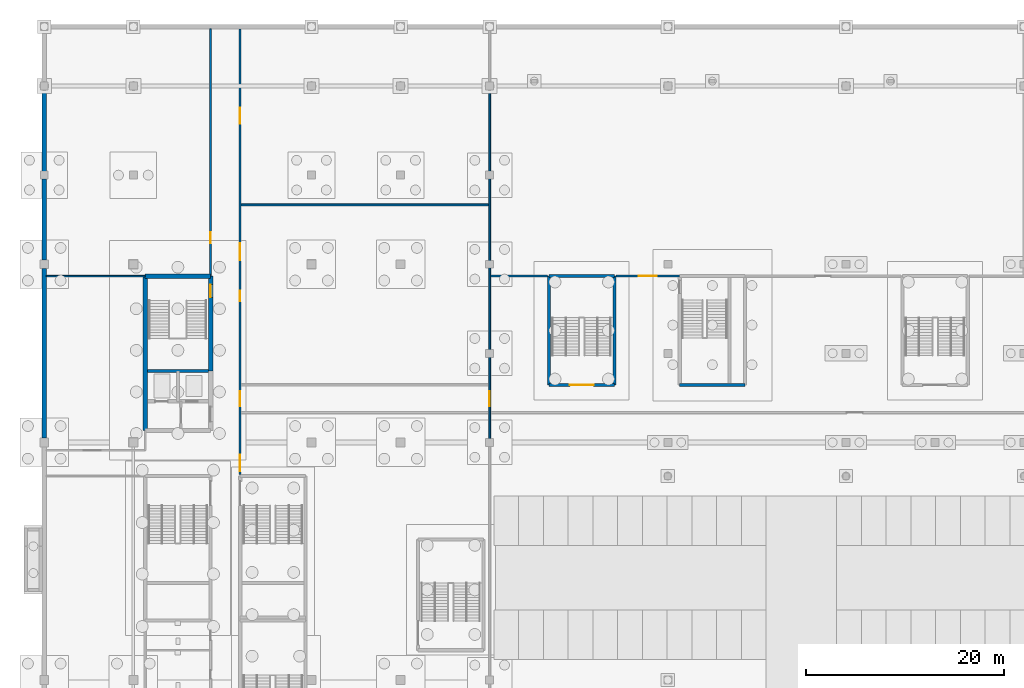
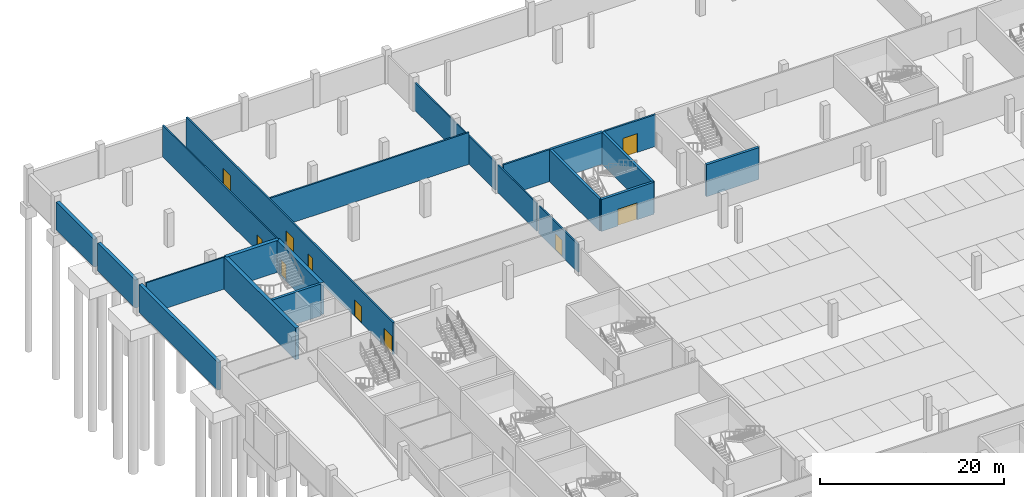
# One storey, part 18 of 46: 21 walls, 10 doors, 10 openings.
"""IFC4 building model written with IfcOpenShell, lengths in metres."""

import ifcopenshell
import ifcopenshell.guid

model = None  # the IFC model being written
_history = None  # IfcOwnerHistory: only IFC2X3 demands one
_inside = {}  # id of a spatial element -> (the spatial element, [elements in it])
_under = {}  # id of a project, library or spatial element -> (it, [spatial elements below it])
_declared = {}  # id of a project -> (the project, [libraries it declares])
_typed = {}  # id of a type object -> (the type object, [elements of that type])
_made_of = {}  # id of a material, layer set ... -> (it, [elements and type objects made of it])


def new_model(schema):
    """Start an empty IFC model of exactly this schema.

    Asked for "IFC4X3", IfcOpenShell would pick the latest addendum, in which some entities
    have other attributes; the version numbers below select the first issue.
    IFC2X3 requires an IfcOwnerHistory on every rooted entity: one is made here for all.
    """
    global model, _history
    if schema == "IFC4X3":
        model = ifcopenshell.file(schema_version=(4, 3, 0, 0))
    else:
        model = ifcopenshell.file(schema=schema)
    _inside.clear()
    _under.clear()
    _declared.clear()
    _typed.clear()
    _made_of.clear()
    _history = None
    if model.schema == "IFC2X3":
        org = make("IfcOrganization", Name="unknown")
        user = make(
            "IfcPersonAndOrganization",
            ThePerson=make("IfcPerson", FamilyName="unknown"),
            TheOrganization=org,
        )
        app = make(
            "IfcApplication",
            ApplicationDeveloper=org,
            Version="unknown",
            ApplicationFullName="unknown",
            ApplicationIdentifier="unknown",
        )
        _history = make(
            "IfcOwnerHistory",
            OwningUser=user,
            OwningApplication=app,
            ChangeAction="ADDED",
            CreationDate=0,
        )
    return model


def make(cls, **values):
    """One entity of the class cls with the attributes given. An attribute that is None is left unset."""
    return model.create_entity(
        cls, **{name: value for name, value in values.items() if value is not None}
    )


def rooted(cls, **values):
    """An entity with a GlobalId (a new one), such as an element, a storey or a relation."""
    return make(cls, GlobalId=ifcopenshell.guid.new(), OwnerHistory=_history, **values)


def si_unit(unit_type, name, prefix=None):
    """IfcSIUnit, for example si_unit("LENGTHUNIT", "METRE", prefix="MILLI")."""
    return make("IfcSIUnit", UnitType=unit_type, Prefix=prefix, Name=name)


def assignment(units):
    """IfcUnitAssignment: the units of a project."""
    return None if units is None else make("IfcUnitAssignment", Units=units)


def point(xyz):
    """IfcCartesianPoint."""
    return None if xyz is None else make("IfcCartesianPoint", Coordinates=xyz)


def direction(xyz):
    """IfcDirection."""
    return None if xyz is None else make("IfcDirection", DirectionRatios=xyz)


def frame(location, z_axis=None, x_axis=None):
    """IfcAxis2Placement3D, a coordinate frame: its origin and axes. An axis left out is left unset."""
    return make(
        "IfcAxis2Placement3D",
        Location=point(location),
        Axis=direction(z_axis),
        RefDirection=direction(x_axis),
    )


def frame_2d(location, x_axis=None):
    """IfcAxis2Placement2D, a coordinate frame in the plane: its origin and x axis."""
    return make(
        "IfcAxis2Placement2D", Location=point(location), RefDirection=direction(x_axis)
    )


def origin():
    """The frame at (0, 0, 0) with its axes left unset."""
    return frame((0.0, 0.0, 0.0))


def place(relative_to, where):
    """IfcLocalPlacement: puts the frame where relative to a parent placement (None: the world)."""
    return make(
        "IfcLocalPlacement", PlacementRelTo=relative_to, RelativePlacement=where
    )


def context(
    kind, dimensions, precision=None, world=None, true_north=None, identifier=None
):
    """IfcGeometricRepresentationContext, for example the 3D "Model" context."""
    return make(
        "IfcGeometricRepresentationContext",
        ContextIdentifier=identifier,
        ContextType=kind,
        CoordinateSpaceDimension=dimensions,
        Precision=precision,
        WorldCoordinateSystem=world,
        TrueNorth=true_north,
    )


def subcontext(parent, identifier, kind, view, scale=None):
    """IfcGeometricRepresentationSubContext, for example "Body" below "Model"."""
    return make(
        "IfcGeometricRepresentationSubContext",
        ContextIdentifier=identifier,
        ContextType=kind,
        ParentContext=parent,
        TargetScale=scale,
        TargetView=view,
    )


def project(units=None, contexts=None):
    """IfcProject with its units and contexts."""
    return rooted(
        "IfcProject",
        Name="project",
        RepresentationContexts=contexts,
        UnitsInContext=assignment(units),
    )


def spatial(cls, under=None, at=None, **own):
    """A site, building, storey or space (cls), placed at a placement, below another one or the project."""
    s = rooted(cls, ObjectPlacement=at, **own)
    if under is not None:
        _under.setdefault(under.id(), (under, []))[1].append(s)
    return s


def profile(cls, at=None, kind="AREA", **sizes):
    """A parametric profile (cls). Its sizes go by their IFC names, for example OverallWidth=200.0."""
    return make(cls, ProfileType=kind, Position=at, **sizes)


def rectangle(**sizes):
    """IfcRectangleProfileDef."""
    return profile("IfcRectangleProfileDef", **sizes)


def extrude(swept, where, along, depth):
    """IfcExtrudedAreaSolid: the profile swept, set in the frame where, extruded along a direction by depth."""
    return make(
        "IfcExtrudedAreaSolid",
        SweptArea=swept,
        Position=where,
        ExtrudedDirection=direction(along),
        Depth=depth,
    )


def shape(context_of_items, identifier, shape_type, items):
    """IfcShapeRepresentation: the items that make up one representation, for example the "Body"."""
    return make(
        "IfcShapeRepresentation",
        ContextOfItems=context_of_items,
        RepresentationIdentifier=identifier,
        RepresentationType=shape_type,
        Items=items,
    )


def material(Name=None, Category=None):
    """IfcMaterial."""
    return make("IfcMaterial", Name=Name, Category=Category)


def layer(
    of_material, thickness, ventilated=None, Name=None, Category=None, Priority=None
):
    """IfcMaterialLayer: one layer of a wall or slab, of a material (None: an air gap)."""
    return make(
        "IfcMaterialLayer",
        Material=of_material,
        LayerThickness=thickness,
        IsVentilated=ventilated,
        Name=Name,
        Category=Category,
        Priority=Priority,
    )


def layer_set(layers, Name=None):
    """IfcMaterialLayerSet."""
    return make("IfcMaterialLayerSet", MaterialLayers=layers, LayerSetName=Name)


def made_of(thing, what):
    """Note that an element or type object is made of a material, layer set ...; save() writes the relation."""
    if what is not None:
        _made_of.setdefault(what.id(), (what, []))[1].append(thing)
    return thing


def type_object(cls, material=None, **own):
    """A type object (cls), such as IfcWallType, which elements share."""
    return made_of(rooted(cls, **own), material)


def element(
    cls,
    number,
    at=None,
    inside=None,
    cuts=None,
    type_object=None,
    material=None,
    context=None,
    identifier="Body",
    shape_type=None,
    held_by="IfcProductDefinitionShape",
    body=None,
    shapes=None,
    **own,
):
    """One element of the class cls, such as IfcWall. Its Tag is "e" and its number.

    at: its placement. inside: the storey or other place that contains it. cuts: it is an
    opening in that element (IfcRelVoidsElement). A single representation is given by context,
    identifier, shape_type and body (its items); several are given by shapes. held_by: the class
    of the entity that holds the representations. save() writes the other relations.
    """
    e = rooted(cls, Tag="e%d" % number, ObjectPlacement=at, **own)
    if body is not None:
        shapes = [shape(context, identifier, shape_type, body)]
    if shapes is not None:
        e.Representation = make(held_by, Representations=shapes)
    if inside is not None:
        _inside.setdefault(inside.id(), (inside, []))[1].append(e)
    if cuts is not None:
        rooted(
            "IfcRelVoidsElement", RelatingBuildingElement=cuts, RelatedOpeningElement=e
        )
    if type_object is not None:
        _typed.setdefault(type_object.id(), (type_object, []))[1].append(e)
    return made_of(e, material)


def fill(opening, filler):
    """IfcRelFillsElement: the door or window that sits in an opening."""
    return rooted(
        "IfcRelFillsElement",
        RelatingOpeningElement=opening,
        RelatedBuildingElement=filler,
    )


def aggregate(whole, parts):
    """IfcRelAggregates: a whole, such as a stair, and the parts it consists of."""
    return rooted("IfcRelAggregates", RelatingObject=whole, RelatedObjects=parts)


def save(model, path):
    """Write the relations noted so far, then the file.

    IfcRelAggregates (storeys below a building ...), IfcRelContainedInSpatialStructure (elements
    in a storey), IfcRelDefinesByType, IfcRelAssociatesMaterial and IfcRelDeclares: one each for
    every whole, place, type object, material and project.
    """
    for whole, parts in _under.values():
        aggregate(whole, parts)
    for where, things in _inside.values():
        rooted(
            "IfcRelContainedInSpatialStructure",
            RelatedElements=things,
            RelatingStructure=where,
        )
    for kind, things in _typed.values():
        rooted("IfcRelDefinesByType", RelatedObjects=things, RelatingType=kind)
    for what, things in _made_of.values():
        rooted("IfcRelAssociatesMaterial", RelatedObjects=things, RelatingMaterial=what)
    for by, libraries in _declared.values():
        rooted("IfcRelDeclares", RelatingContext=by, RelatedDefinitions=libraries)
    model.write(path)


model = new_model("IFC4")

# Units and contexts
model_context = context("Model", 3, precision=1e-05, world=origin(), true_north=direction((0.0, 1.0)))
body_context = subcontext(model_context, "Body", "Model", "MODEL_VIEW")
ifc_project = project(units=[si_unit("LENGTHUNIT", "METRE"), si_unit("AREAUNIT", "SQUARE_METRE"), si_unit("VOLUMEUNIT", "CUBIC_METRE"), si_unit("PLANEANGLEUNIT", "RADIAN"), si_unit("MASSUNIT", "GRAM", prefix="KILO")], contexts=[model_context])

# Site, building, storey
site_placement = place(None, origin())
site = spatial("IfcSite", under=ifc_project, at=site_placement, CompositionType="ELEMENT")
building_placement = place(site_placement, origin())
building = spatial("IfcBuilding", under=site, at=building_placement, Name="Kisiwana Market Hall", CompositionType="ELEMENT")
storey_placement = place(building_placement, frame((0.0, 0.0, -4.5)))
storey = spatial("IfcBuildingStorey", under=building, at=storey_placement, Name="B1", CompositionType="ELEMENT", Elevation=-4.5)

# Walls
ifc_material_1 = material(Name="Concrete C40/50", Category="concrete")
ifc_layer_1 = layer(ifc_material_1, 0.360107421875, Name="Waterproofed RC retaining wall")
ifc_material_2 = material(Name="Mineral wool insulation")
ifc_layer_2 = layer(ifc_material_2, 0.06005859375, Name="XPS drainage protection board")
ifc_layer_set_1 = layer_set([ifc_layer_1, ifc_layer_2], Name="WL-B1-RET-420")
wall_type_1 = type_object("IfcWallType", Name="WL-B1-RET-420", PredefinedType="STANDARD", material=ifc_layer_set_1)
wall_1_placement = place(storey_placement, frame((0.0, 84.44189453125, 0.0), z_axis=(0.0, 0.0, 1.0), x_axis=(0.0, 1.0, 0.0)))
element("IfcWall", 1, at=wall_1_placement, inside=storey, type_object=wall_type_1, Name="Exterior wall W-0188", PredefinedType="STANDARD", context=body_context, shape_type="SweptSolid", body=[
    extrude(rectangle(XDim=17.1162109375, YDim=0.419921875, at=frame_2d((8.55810546875, 0.0))), origin(), (0.0, 0.0, 1.0), 3.699951171875),
])
wall_2_placement = place(storey_placement, frame((0.0, 102.44189453125, 0.0), z_axis=(0.0, 0.0, 1.0), x_axis=(0.0, 1.0, 0.0)))
element("IfcWall", 2, at=wall_2_placement, inside=storey, type_object=wall_type_1, Name="Exterior wall W-0189", PredefinedType="STANDARD", context=body_context, shape_type="SweptSolid", body=[
    extrude(rectangle(XDim=8.166015625, YDim=0.419921875, at=frame_2d((4.0830078125, 0.0))), origin(), (0.0, 0.0, 1.0), 3.699951171875),
])
wall_3_placement = place(storey_placement, frame((0.0, 111.39208984375, 0.0), z_axis=(0.0, 0.0, 1.0), x_axis=(0.0, 1.0, 0.0)))
element("IfcWall", 3, at=wall_3_placement, inside=storey, type_object=wall_type_1, Name="Exterior wall W-0190", PredefinedType="STANDARD", context=body_context, shape_type="SweptSolid", body=[
    extrude(rectangle(XDim=8.2158203125, YDim=0.419921875, at=frame_2d((4.10791015625, 0.0))), origin(), (0.0, 0.0, 1.0), 3.699951171875),
])
ifc_material_3 = material(Name="Steel S275", Category="steel")
ifc_layer_3 = layer(ifc_material_3, 0.010009765625, Name="Food-grade steel inner skin")
ifc_material_4 = material(Name="PIR insulation")
ifc_layer_4 = layer(ifc_material_4, 0.199951171875, Name="High-density PIR thermal core")
ifc_material_5 = material(Name="Steel S275", Category="steel")
ifc_layer_5 = layer(ifc_material_5, 0.010009765625, Name="Food-grade steel outer skin")
ifc_layer_set_2 = layer_set([ifc_layer_3, ifc_layer_4, ifc_layer_5], Name="WL-COLD-220")
wall_type_2 = type_object("IfcWallType", Name="WL-COLD-220", PredefinedType="PARTITIONING", material=ifc_layer_set_2)
wall_4_placement = place(storey_placement, frame((45.0849609375, 100.800048828125, 0.0), z_axis=(0.0, 0.0, 1.0), x_axis=(1.0, 0.0, 0.0)))
element("IfcWall", 4, at=wall_4_placement, inside=storey, type_object=wall_type_2, Name="Interior partition W-0286", PredefinedType="PARTITIONING", context=body_context, shape_type="SweptSolid", body=[
    extrude(rectangle(XDim=5.755126953125, YDim=0.219970703125, at=frame_2d((2.87744140625, 0.0))), origin(), (0.0, 0.0, 1.0), 4.239990234375),
])

# Wall, opening, door
wall_5_placement = place(storey_placement, frame((57.760009765625, 100.800048828125, 0.0), z_axis=(0.0, 0.0, 1.0), x_axis=(1.0, 0.0, 0.0)))
wall_5 = element("IfcWall", 5, at=wall_5_placement, inside=storey, type_object=wall_type_2, Name="Interior partition W-0287", PredefinedType="PARTITIONING", context=body_context, shape_type="SweptSolid", body=[
    extrude(rectangle(XDim=6.43994140625, YDim=0.219970703125, at=frame_2d((3.219970703125, 0.0))), origin(), (0.0, 0.0, 1.0), 4.239990234375),
])
opening_1_placement = place(wall_5_placement, frame((2.320068359375, 0.0, 0.0)))
opening_1 = element("IfcOpeningElement", 6, at=opening_1_placement, cuts=wall_5, Name="Opening DR-B1-090", PredefinedType="OPENING", context=body_context, shape_type="SweptSolid", body=[
    extrude(rectangle(XDim=1.800048828125, YDim=2.5, at=frame_2d((0.89990234375, 1.25))), frame((0.0, 0.1220703125, 0.0), z_axis=(0.0, -1.0, 0.0), x_axis=(1.0, 0.0, 0.0)), (0.0, 0.0, 1.0), 0.243896484375),
])
ifc_material_6 = material(Name="Steel S275", Category="steel")
door_type_1 = type_object("IfcDoorType", Name="DR-COLD-FD60-1800", OperationType="SLIDING_TO_LEFT", PredefinedType="DOOR", material=ifc_material_6)
door_1_placement = place(opening_1_placement, origin())
door_1 = element("IfcDoor", 7, at=door_1_placement, inside=storey, type_object=door_type_1, Name="B1 Produce Cold Store Door", OperationType="SLIDING_TO_LEFT", OverallHeight=2.5, OverallWidth=1.800048828125, PredefinedType="DOOR", context=body_context, shape_type="SweptSolid", body=[
    extrude(rectangle(XDim=1.800048828125, YDim=2.5, at=frame_2d((0.89990234375, 1.25))), frame((0.0, 0.02490234375, 0.0), z_axis=(0.0, -1.0, 0.0), x_axis=(1.0, 0.0, 0.0)), (0.0, 0.0, 1.0), 0.050048828125),
])
fill(opening_1, door_1)

# Wall
ifc_material_7 = material(Name="Masonry blockwork", Category="masonry")
ifc_layer_6 = layer(ifc_material_7, 0.199951171875, Name="Plastered fire compartment block wall")
ifc_layer_set_3 = layer_set([ifc_layer_6], Name="WL-COMP-200")
wall_type_3 = type_object("IfcWallType", Name="WL-COMP-200", PredefinedType="PARTITIONING", material=ifc_layer_set_3)
wall_6_placement = place(storey_placement, frame((19.89990234375, 108.0, 0.0), z_axis=(0.0, 0.0, 1.0), x_axis=(1.0, 0.0, 0.0)))
element("IfcWall", 8, at=wall_6_placement, inside=storey, type_object=wall_type_3, Name="Interior partition W-0225", PredefinedType="PARTITIONING", context=body_context, shape_type="SweptSolid", body=[
    extrude(rectangle(XDim=25.01513671875, YDim=0.199951171875, at=frame_2d((12.507568359375, 0.0))), origin(), (0.0, 0.0, 1.0), 4.239990234375),
])

# Wall, openings, doors
wall_7_placement = place(storey_placement, frame((19.800048828125, 80.760009765625, 0.0), z_axis=(0.0, 0.0, 1.0), x_axis=(0.0, 1.0, 0.0)))
wall_7 = element("IfcWall", 9, at=wall_7_placement, inside=storey, type_object=wall_type_3, Name="Interior partition W-0227", PredefinedType="PARTITIONING", context=body_context, shape_type="SweptSolid", body=[
    extrude(rectangle(XDim=45.030029296875, YDim=0.199951171875, at=frame_2d((22.51513671875, 0.0))), origin(), (0.0, 0.0, 1.0), 4.239990234375),
])
opening_2_placement = place(wall_7_placement, frame((6.889892578125, 0.0, 0.0)))
opening_2 = element("IfcOpeningElement", 10, at=opening_2_placement, cuts=wall_7, Name="Opening DR-B1-053", PredefinedType="OPENING", context=body_context, shape_type="SweptSolid", body=[
    extrude(rectangle(XDim=1.5, YDim=2.199951171875, at=frame_2d((0.75, 1.10009765625))), frame((0.0, 0.11181640625, 0.0), z_axis=(0.0, -1.0, 0.0), x_axis=(1.0, 0.0, 0.0)), (0.0, 0.0, 1.0), 0.223876953125),
])
opening_3_placement = place(wall_7_placement, frame((17.5, 0.0, 0.0)))
opening_3 = element("IfcOpeningElement", 11, at=opening_3_placement, cuts=wall_7, Name="Opening DR-B1-054", PredefinedType="OPENING", context=body_context, shape_type="SweptSolid", body=[
    extrude(rectangle(XDim=1.050048828125, YDim=2.14990234375, at=frame_2d((0.52490234375, 1.074951171875))), frame((0.0, 0.11181640625, 0.0), z_axis=(0.0, -1.0, 0.0), x_axis=(1.0, 0.0, 0.0)), (0.0, 0.0, 1.0), 0.223876953125),
])
opening_4_placement = place(wall_7_placement, frame((35.43994140625, 0.0, 0.0)))
opening_4 = element("IfcOpeningElement", 12, at=opening_4_placement, cuts=wall_7, Name="Opening DR-B1-055", PredefinedType="OPENING", context=body_context, shape_type="SweptSolid", body=[
    extrude(rectangle(XDim=1.60009765625, YDim=2.300048828125, at=frame_2d((0.800048828125, 1.14990234375))), frame((0.0, 0.11181640625, 0.0), z_axis=(0.0, -1.0, 0.0), x_axis=(1.0, 0.0, 0.0)), (0.0, 0.0, 1.0), 0.223876953125),
])
opening_5_placement = place(wall_7_placement, frame((21.6650390625, 0.0, 0.0)))
opening_5 = element("IfcOpeningElement", 13, at=opening_5_placement, cuts=wall_7, Name="Opening DR-B1-056", PredefinedType="OPENING", context=body_context, shape_type="SweptSolid", body=[
    extrude(rectangle(XDim=1.699951171875, YDim=2.300048828125, at=frame_2d((0.85009765625, 1.14990234375))), frame((0.0, 0.11181640625, 0.0), z_axis=(0.0, -1.0, 0.0), x_axis=(1.0, 0.0, 0.0)), (0.0, 0.0, 1.0), 0.223876953125),
])
opening_6_placement = place(wall_7_placement, frame((0.300048828125, 0.0, 0.0)))
opening_6 = element("IfcOpeningElement", 14, at=opening_6_placement, cuts=wall_7, Name="Opening DR-B1-057", PredefinedType="OPENING", context=body_context, shape_type="SweptSolid", body=[
    extrude(rectangle(XDim=1.699951171875, YDim=2.300048828125, at=frame_2d((0.85009765625, 1.14990234375))), frame((0.0, 0.11181640625, 0.0), z_axis=(0.0, -1.0, 0.0), x_axis=(1.0, 0.0, 0.0)), (0.0, 0.0, 1.0), 0.223876953125),
])
ifc_material_8 = material(Name="Steel S275", Category="steel")
door_type_2 = type_object("IfcDoorType", Name="DR-CORR-FD60-1500", OperationType="DOUBLE_DOOR_SINGLE_SWING", PredefinedType="DOOR", material=ifc_material_8)
door_2_placement = place(opening_2_placement, origin())
door_2 = element("IfcDoor", 15, at=door_2_placement, inside=storey, type_object=door_type_2, Name="B1 W North Concourse Link Corridor Door", OperationType="DOUBLE_DOOR_SINGLE_SWING", OverallHeight=2.199951171875, OverallWidth=1.5, PredefinedType="DOOR", context=body_context, shape_type="SweptSolid", body=[
    extrude(rectangle(XDim=1.5, YDim=2.199951171875, at=frame_2d((0.75, 1.10009765625))), frame((0.0, 0.02490234375, 0.0), z_axis=(0.0, -1.0, 0.0), x_axis=(1.0, 0.0, 0.0)), (0.0, 0.0, 1.0), 0.050048828125),
])
fill(opening_2, door_2)
ifc_material_9 = material(Name="Steel S275", Category="steel")
door_type_3 = type_object("IfcDoorType", Name="DR-PLANT-FD120-1600", OperationType="DOUBLE_DOOR_SINGLE_SWING", PredefinedType="DOOR", material=ifc_material_9)
door_3_placement = place(opening_4_placement, frame((1.60009765625, 0.0, 0.0), z_axis=(0.0, 0.0, 1.0), x_axis=(-1.0, 0.0, 0.0)))
door_3 = element("IfcDoor", 16, at=door_3_placement, inside=storey, type_object=door_type_3, Name="B1 W Substation and Plant Room Door", OperationType="DOUBLE_DOOR_SINGLE_SWING", OverallHeight=2.300048828125, OverallWidth=1.60009765625, PredefinedType="DOOR", context=body_context, shape_type="SweptSolid", body=[
    extrude(rectangle(XDim=1.60009765625, YDim=2.300048828125, at=frame_2d((0.800048828125, 1.14990234375))), frame((0.0, 0.02490234375, 0.0), z_axis=(0.0, -1.0, 0.0), x_axis=(1.0, 0.0, 0.0)), (0.0, 0.0, 1.0), 0.050048828125),
])
fill(opening_4, door_3)
ifc_material_10 = material(Name="Aluminium alloy 6063-T6", Category="aluminium")
door_type_4 = type_object("IfcDoorType", Name="DR-SHOP-1700", OperationType="DOUBLE_DOOR_SINGLE_SWING", PredefinedType="DOOR", material=ifc_material_10)
door_4_placement = place(opening_5_placement, frame((1.699951171875, 0.0, 0.0), z_axis=(0.0, 0.0, 1.0), x_axis=(-1.0, 0.0, 0.0)))
door_4 = element("IfcDoor", 17, at=door_4_placement, inside=storey, type_object=door_type_4, Name="B1 W Lower Ground Shop C Door", OperationType="DOUBLE_DOOR_SINGLE_SWING", OverallHeight=2.300048828125, OverallWidth=1.699951171875, PredefinedType="DOOR", context=body_context, shape_type="SweptSolid", body=[
    extrude(rectangle(XDim=1.699951171875, YDim=2.300048828125, at=frame_2d((0.85009765625, 1.14990234375))), frame((0.0, 0.02490234375, 0.0), z_axis=(0.0, -1.0, 0.0), x_axis=(1.0, 0.0, 0.0)), (0.0, 0.0, 1.0), 0.050048828125),
])
fill(opening_5, door_4)
door_5_placement = place(opening_6_placement, frame((1.699951171875, 0.0, 0.0), z_axis=(0.0, 0.0, 1.0), x_axis=(-1.0, 0.0, 0.0)))
door_5 = element("IfcDoor", 18, at=door_5_placement, inside=storey, type_object=door_type_4, Name="B1 W Lower Ground Shop D Door", OperationType="DOUBLE_DOOR_SINGLE_SWING", OverallHeight=2.300048828125, OverallWidth=1.699951171875, PredefinedType="DOOR", context=body_context, shape_type="SweptSolid", body=[
    extrude(rectangle(XDim=1.699951171875, YDim=2.300048828125, at=frame_2d((0.85009765625, 1.14990234375))), frame((0.0, 0.02490234375, 0.0), z_axis=(0.0, -1.0, 0.0), x_axis=(1.0, 0.0, 0.0)), (0.0, 0.0, 1.0), 0.050048828125),
])
fill(opening_6, door_5)
ifc_material_11 = material(Name="Steel S275", Category="steel")
door_type_5 = type_object("IfcDoorType", Name="DR-STOR-FD60-1050", OperationType="NOTDEFINED", PredefinedType="DOOR", material=ifc_material_11)
door_6_placement = place(opening_3_placement, frame((1.050048828125, 0.0, 0.0), z_axis=(0.0, 0.0, 1.0), x_axis=(-1.0, 0.0, 0.0)))
door_6 = element("IfcDoor", 19, at=door_6_placement, inside=storey, type_object=door_type_5, Name="B1 W Bicycle and Refuse Store Door", OperationType="SINGLE_SWING_RIGHT", OverallHeight=2.14990234375, OverallWidth=1.050048828125, PredefinedType="DOOR", context=body_context, shape_type="SweptSolid", body=[
    extrude(rectangle(XDim=1.050048828125, YDim=2.14990234375, at=frame_2d((0.52490234375, 1.074951171875))), frame((0.0, 0.02490234375, 0.0), z_axis=(0.0, -1.0, 0.0), x_axis=(1.0, 0.0, 0.0)), (0.0, 0.0, 1.0), 0.050048828125),
])
fill(opening_3, door_6)

# Walls
ifc_material_12 = material(Name="Concrete C40/50", Category="concrete")
ifc_layer_7 = layer(ifc_material_12, 0.320068359375, Name="Reinforced concrete shaft wall")
ifc_layer_set_4 = layer_set([ifc_layer_7], Name="WL-CORE-320")
wall_type_4 = type_object("IfcWallType", Name="WL-CORE-320", PredefinedType="SHEAR", material=ifc_layer_set_4)
wall_8_placement = place(storey_placement, frame((10.425048828125, 91.215087890625, 0.0), z_axis=(0.0, 0.0, 1.0), x_axis=(1.0, 0.0, 0.0)))
element("IfcWall", 20, at=wall_8_placement, inside=storey, type_object=wall_type_4, Name="Core W1 shaft back shear wall W-0015", PredefinedType="SHEAR", context=body_context, shape_type="SweptSolid", body=[
    extrude(rectangle(XDim=6.14990234375, YDim=0.320068359375, at=frame_2d((3.074951171875, 0.0))), origin(), (0.0, 0.0, 1.0), 4.239990234375),
])
wall_9_placement = place(storey_placement, frame((64.199951171875, 89.800048828125, 0.0), z_axis=(0.0, 0.0, 1.0), x_axis=(1.0, 0.0, 0.0)))
element("IfcWall", 21, at=wall_9_placement, inside=storey, type_object=wall_type_4, Name="Core N1 south wall W-0048", PredefinedType="SHEAR", context=body_context, shape_type="SweptSolid", body=[
    extrude(rectangle(XDim=6.60009765625, YDim=0.320068359375, at=frame_2d((3.300048828125, 0.0))), origin(), (0.0, 0.0, 1.0), 4.239990234375),
])

# Wall, opening, door
wall_10_placement = place(storey_placement, frame((51.0, 89.800048828125, 0.0), z_axis=(0.0, 0.0, 1.0), x_axis=(1.0, 0.0, 0.0)))
wall_10 = element("IfcWall", 22, at=wall_10_placement, inside=storey, type_object=wall_type_4, Name="Core N3 corridor shear wall W-0127", PredefinedType="SHEAR", context=body_context, shape_type="SweptSolid", body=[
    extrude(rectangle(XDim=6.60009765625, YDim=0.320068359375, at=frame_2d((3.300048828125, 0.0))), origin(), (0.0, 0.0, 1.0), 4.239990234375),
])
opening_7_placement = place(wall_10_placement, frame((2.10009765625, 0.0, 0.0)))
opening_7 = element("IfcOpeningElement", 23, at=opening_7_placement, cuts=wall_10, Name="Opening DR-B1-034", PredefinedType="OPENING", context=body_context, shape_type="SweptSolid", body=[
    extrude(rectangle(XDim=2.39990234375, YDim=2.25, at=frame_2d((1.199951171875, 1.125))), frame((0.0, 0.171875, 0.0), z_axis=(0.0, -1.0, 0.0), x_axis=(1.0, 0.0, 0.0)), (0.0, 0.0, 1.0), 0.343994140625),
])
ifc_material_13 = material(Name="Steel S275", Category="steel")
door_type_6 = type_object("IfcDoorType", Name="DR-STAIR-FD120-2400", OperationType="DOUBLE_DOOR_SINGLE_SWING", PredefinedType="DOOR", material=ifc_material_13)
door_7_placement = place(opening_7_placement, origin())
door_7 = element("IfcDoor", 24, at=door_7_placement, inside=storey, type_object=door_type_6, Name="Escape Stair N3 Fire Door (B1)", OperationType="DOUBLE_DOOR_SINGLE_SWING", OverallHeight=2.25, OverallWidth=2.39990234375, PredefinedType="DOOR", context=body_context, shape_type="SweptSolid", body=[
    extrude(rectangle(XDim=2.39990234375, YDim=2.25, at=frame_2d((1.199951171875, 1.125))), frame((0.0, 0.02490234375, 0.0), z_axis=(0.0, -1.0, 0.0), x_axis=(1.0, 0.0, 0.0)), (0.0, 0.0, 1.0), 0.050048828125),
])
fill(opening_7, door_7)

# Walls
wall_11_placement = place(storey_placement, frame((51.0, 100.800048828125, 0.0), z_axis=(0.0, 0.0, 1.0), x_axis=(1.0, 0.0, 0.0)))
element("IfcWall", 25, at=wall_11_placement, inside=storey, type_object=wall_type_4, Name="Core N3 outer shear wall W-0128", PredefinedType="SHEAR", context=body_context, shape_type="SweptSolid", body=[
    extrude(rectangle(XDim=6.60009765625, YDim=0.320068359375, at=frame_2d((3.300048828125, 0.0))), origin(), (0.0, 0.0, 1.0), 4.239990234375),
])
for number, where, z_axis, x_axis, name in (
    (26, (51.0, 89.800048828125, 0.0), (0.0, 0.0, 1.0), (0.0, 1.0, 0.0), "Core N3 west shear wall W-0129"),
    (27, (57.60009765625, 89.800048828125, 0.0), (0.0, 0.0, 1.0), (0.0, 1.0, 0.0), "Core N3 east shear wall W-0130"),
):
    element("IfcWall", number, at=place(storey_placement, frame(where, z_axis=z_axis, x_axis=x_axis)), inside=storey, type_object=wall_type_4, Name=name, PredefinedType="SHEAR", context=body_context, shape_type="SweptSolid", body=[
        extrude(rectangle(XDim=11.0, YDim=0.320068359375, at=frame_2d((5.5, 0.0))), origin(), (0.0, 0.0, 1.0), 4.239990234375),
    ])
ifc_material_14 = material(Name="Concrete C40/50", Category="concrete")
ifc_layer_8 = layer(ifc_material_14, 0.449951171875, Name="Reinforced concrete core wall")
ifc_layer_set_5 = layer_set([ifc_layer_8], Name="WL-CORE-450")
wall_type_5 = type_object("IfcWallType", Name="WL-CORE-450", PredefinedType="SHEAR", material=ifc_layer_set_5)
wall_12_placement = place(storey_placement, frame((10.199951171875, 100.800048828125, 0.0), z_axis=(0.0, 0.0, 1.0), x_axis=(1.0, 0.0, 0.0)))
element("IfcWall", 28, at=wall_12_placement, inside=storey, type_object=wall_type_5, Name="Core W1 north shear wall W-0011", PredefinedType="SHEAR", context=body_context, shape_type="SweptSolid", body=[
    extrude(rectangle(XDim=6.60009765625, YDim=0.449951171875, at=frame_2d((3.300048828125, 0.0))), origin(), (0.0, 0.0, 1.0), 4.239990234375),
])
wall_13_placement = place(storey_placement, frame((10.199951171875, 85.199951171875, 0.0), z_axis=(0.0, 0.0, 1.0), x_axis=(0.0, 1.0, 0.0)))
element("IfcWall", 29, at=wall_13_placement, inside=storey, type_object=wall_type_5, Name="Core W1 outer shear wall W-0012", PredefinedType="SHEAR", context=body_context, shape_type="SweptSolid", body=[
    extrude(rectangle(XDim=15.60009765625, YDim=0.449951171875, at=frame_2d((7.800048828125, 0.0))), origin(), (0.0, 0.0, 1.0), 4.239990234375),
])

# Wall, opening, door
wall_14_placement = place(storey_placement, frame((16.800048828125, 91.215087890625, 0.0), z_axis=(0.0, 0.0, 1.0), x_axis=(0.0, 1.0, 0.0)))
wall_14 = element("IfcWall", 30, at=wall_14_placement, inside=storey, type_object=wall_type_5, Name="Core W1 stair corridor shear wall W-0014", PredefinedType="SHEAR", context=body_context, shape_type="SweptSolid", body=[
    extrude(rectangle(XDim=9.5849609375, YDim=0.449951171875, at=frame_2d((4.79248046875, 0.0))), origin(), (0.0, 0.0, 1.0), 4.239990234375),
])
opening_8_placement = place(wall_14_placement, frame((7.43505859375, 0.0, 0.0)))
opening_8 = element("IfcOpeningElement", 31, at=opening_8_placement, cuts=wall_14, Name="Opening DR-B1-005", PredefinedType="OPENING", context=body_context, shape_type="SweptSolid", body=[
    extrude(rectangle(XDim=1.300048828125, YDim=2.199951171875, at=frame_2d((0.64990234375, 1.10009765625))), frame((0.0, 0.23681640625, 0.0), z_axis=(0.0, -1.0, 0.0), x_axis=(1.0, 0.0, 0.0)), (0.0, 0.0, 1.0), 0.473876953125),
])
ifc_material_15 = material(Name="Steel S275", Category="steel")
door_type_7 = type_object("IfcDoorType", Name="DR-STAIR-FD120-1300", OperationType="NOTDEFINED", PredefinedType="DOOR", material=ifc_material_15)
door_8_placement = place(opening_8_placement, origin())
door_8 = element("IfcDoor", 32, at=door_8_placement, inside=storey, type_object=door_type_7, Name="Escape Stair W1 Fire Door (B1)", OperationType="SINGLE_SWING_RIGHT", OverallHeight=2.199951171875, OverallWidth=1.300048828125, PredefinedType="DOOR", context=body_context, shape_type="SweptSolid", body=[
    extrude(rectangle(XDim=1.300048828125, YDim=2.199951171875, at=frame_2d((0.64990234375, 1.10009765625))), frame((0.0, 0.02490234375, 0.0), z_axis=(0.0, -1.0, 0.0), x_axis=(1.0, 0.0, 0.0)), (0.0, 0.0, 1.0), 0.050048828125),
])
fill(opening_8, door_8)

# Wall
ifc_material_16 = material(Name="Masonry blockwork", Category="masonry")
ifc_layer_9 = layer(ifc_material_16, 0.169921875, Name="Protected corridor partition")
ifc_layer_set_6 = layer_set([ifc_layer_9], Name="WL-CORR-170")
wall_type_6 = type_object("IfcWallType", Name="WL-CORR-170", PredefinedType="PARTITIONING", material=ifc_layer_set_6)
wall_15_placement = place(storey_placement, frame((0.2099609375, 100.800048828125, 0.0), z_axis=(0.0, 0.0, 1.0), x_axis=(1.0, 0.0, 0.0)))
element("IfcWall", 33, at=wall_15_placement, inside=storey, type_object=wall_type_6, Name="Interior partition W-0212", PredefinedType="PARTITIONING", context=body_context, shape_type="SweptSolid", body=[
    extrude(rectangle(XDim=9.989990234375, YDim=0.169921875, at=frame_2d((4.9951171875, 0.0))), origin(), (0.0, 0.0, 1.0), 4.239990234375),
])

# Wall, opening, door
wall_16_placement = place(storey_placement, frame((16.800048828125, 100.800048828125, 0.0), z_axis=(0.0, 0.0, 1.0), x_axis=(0.0, 1.0, 0.0)))
wall_16 = element("IfcWall", 34, at=wall_16_placement, inside=storey, type_object=wall_type_6, Name="Interior partition W-0218", PredefinedType="PARTITIONING", context=body_context, shape_type="SweptSolid", body=[
    extrude(rectangle(XDim=24.989990234375, YDim=0.169921875, at=frame_2d((12.4951171875, 0.0))), origin(), (0.0, 0.0, 1.0), 4.239990234375),
])
opening_9_placement = place(wall_16_placement, frame((3.300048828125, 0.0, 0.0)))
opening_9 = element("IfcOpeningElement", 35, at=opening_9_placement, cuts=wall_16, Name="Opening DR-B1-048", PredefinedType="OPENING", context=body_context, shape_type="SweptSolid", body=[
    extrude(rectangle(XDim=1.14990234375, YDim=2.14990234375, at=frame_2d((0.574951171875, 1.074951171875))), frame((0.0, 0.096923828125, 0.0), z_axis=(0.0, -1.0, 0.0), x_axis=(1.0, 0.0, 0.0)), (0.0, 0.0, 1.0), 0.19384765625),
])
ifc_material_17 = material(Name="Aluminium alloy 6063-T6", Category="aluminium")
door_type_8 = type_object("IfcDoorType", Name="DR-MEET-1150", OperationType="NOTDEFINED", PredefinedType="DOOR", material=ifc_material_17)
door_9_placement = place(opening_9_placement, origin())
door_9 = element("IfcDoor", 36, at=door_9_placement, inside=storey, type_object=door_type_8, Name="B1 W Retail Shop North Door", OperationType="SINGLE_SWING_LEFT", OverallHeight=2.14990234375, OverallWidth=1.14990234375, PredefinedType="DOOR", context=body_context, shape_type="SweptSolid", body=[
    extrude(rectangle(XDim=1.14990234375, YDim=2.14990234375, at=frame_2d((0.574951171875, 1.074951171875))), frame((0.0, 0.02490234375, 0.0), z_axis=(0.0, -1.0, 0.0), x_axis=(1.0, 0.0, 0.0)), (0.0, 0.0, 1.0), 0.050048828125),
])
fill(opening_9, door_9)

wall_17_placement = place(storey_placement, frame((45.0, 84.219970703125, 0.0), z_axis=(0.0, 0.0, 1.0), x_axis=(0.0, 1.0, 0.0)))
wall_17 = element("IfcWall", 37, at=wall_17_placement, inside=storey, type_object=wall_type_6, Name="Interior partition W-0233", PredefinedType="PARTITIONING", context=body_context, shape_type="SweptSolid", body=[
    extrude(rectangle(XDim=8.56005859375, YDim=0.169921875, at=frame_2d((4.280029296875, 0.0))), origin(), (0.0, 0.0, 1.0), 3.706787109375),
])
opening_10_placement = place(wall_17_placement, frame((3.429931640625, 0.0, 0.0)))
opening_10 = element("IfcOpeningElement", 38, at=opening_10_placement, cuts=wall_17, Name="Opening DR-B1-059", PredefinedType="OPENING", context=body_context, shape_type="SweptSolid", body=[
    extrude(rectangle(XDim=1.5, YDim=2.199951171875, at=frame_2d((0.75, 1.10009765625))), frame((0.0, 0.096923828125, 0.0), z_axis=(0.0, -1.0, 0.0), x_axis=(1.0, 0.0, 0.0)), (0.0, 0.0, 1.0), 0.19384765625),
])
door_10_placement = place(opening_10_placement, origin())
door_10 = element("IfcDoor", 39, at=door_10_placement, inside=storey, type_object=door_type_2, Name="B1 W North Spine Link Door", OperationType="DOUBLE_DOOR_SINGLE_SWING", OverallHeight=2.199951171875, OverallWidth=1.5, PredefinedType="DOOR", context=body_context, shape_type="SweptSolid", body=[
    extrude(rectangle(XDim=1.5, YDim=2.199951171875, at=frame_2d((0.75, 1.10009765625))), frame((0.0, 0.02490234375, 0.0), z_axis=(0.0, -1.0, 0.0), x_axis=(1.0, 0.0, 0.0)), (0.0, 0.0, 1.0), 0.050048828125),
])
fill(opening_10, door_10)

# Walls
wall_18_placement = place(storey_placement, frame((45.0, 93.219970703125, 0.0), z_axis=(0.0, 0.0, 1.0), x_axis=(0.0, 1.0, 0.0)))
element("IfcWall", 40, at=wall_18_placement, inside=storey, type_object=wall_type_6, Name="Interior partition W-0234", PredefinedType="PARTITIONING", context=body_context, shape_type="SweptSolid", body=[
    extrude(rectangle(XDim=8.56005859375, YDim=0.169921875, at=frame_2d((4.280029296875, 0.0))), origin(), (0.0, 0.0, 1.0), 3.706787109375),
])
wall_19_placement = place(storey_placement, frame((45.0, 102.219970703125, 0.0), z_axis=(0.0, 0.0, 1.0), x_axis=(0.0, 1.0, 0.0)))
element("IfcWall", 41, at=wall_19_placement, inside=storey, type_object=wall_type_6, Name="Interior partition W-0235", PredefinedType="PARTITIONING", context=body_context, shape_type="SweptSolid", body=[
    extrude(rectangle(XDim=17.56005859375, YDim=0.169921875, at=frame_2d((8.780029296875, 0.0))), origin(), (0.0, 0.0, 1.0), 3.706787109375),
])

save(model, "model.ifc")
